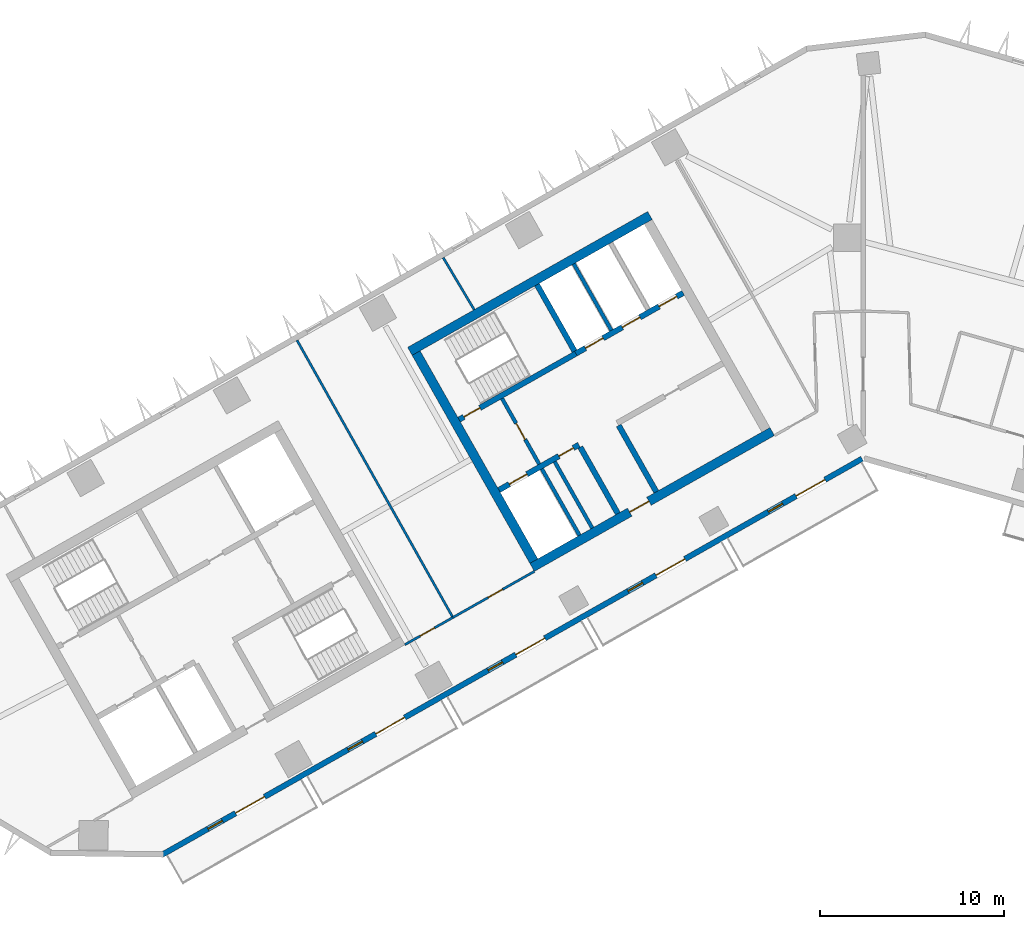
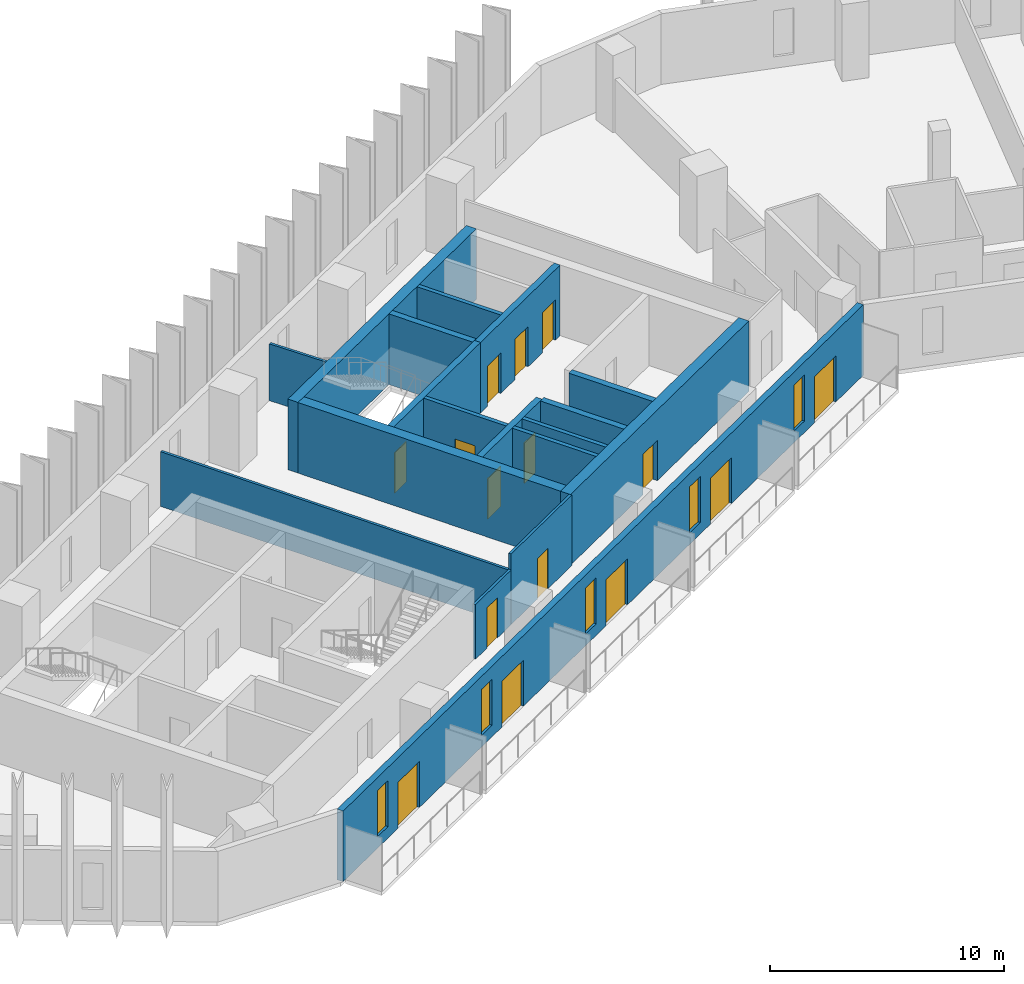
# One storey, part 4 of 12: 18 walls, 15 doors, 5 windows, 20 openings.
"""IFC4 building model written with IfcOpenShell, lengths in metres."""

import ifcopenshell
import ifcopenshell.guid

model = None  # the IFC model being written
_history = None  # IfcOwnerHistory: only IFC2X3 demands one
_inside = {}  # id of a spatial element -> (the spatial element, [elements in it])
_under = {}  # id of a project, library or spatial element -> (it, [spatial elements below it])
_declared = {}  # id of a project -> (the project, [libraries it declares])
_typed = {}  # id of a type object -> (the type object, [elements of that type])
_made_of = {}  # id of a material, layer set ... -> (it, [elements and type objects made of it])


def new_model(schema):
    """Start an empty IFC model of exactly this schema.

    Asked for "IFC4X3", IfcOpenShell would pick the latest addendum, in which some entities
    have other attributes; the version numbers below select the first issue.
    IFC2X3 requires an IfcOwnerHistory on every rooted entity: one is made here for all.
    """
    global model, _history
    if schema == "IFC4X3":
        model = ifcopenshell.file(schema_version=(4, 3, 0, 0))
    else:
        model = ifcopenshell.file(schema=schema)
    _inside.clear()
    _under.clear()
    _declared.clear()
    _typed.clear()
    _made_of.clear()
    _history = None
    if model.schema == "IFC2X3":
        org = make("IfcOrganization", Name="unknown")
        user = make(
            "IfcPersonAndOrganization",
            ThePerson=make("IfcPerson", FamilyName="unknown"),
            TheOrganization=org,
        )
        app = make(
            "IfcApplication",
            ApplicationDeveloper=org,
            Version="unknown",
            ApplicationFullName="unknown",
            ApplicationIdentifier="unknown",
        )
        _history = make(
            "IfcOwnerHistory",
            OwningUser=user,
            OwningApplication=app,
            ChangeAction="ADDED",
            CreationDate=0,
        )
    return model


def make(cls, **values):
    """One entity of the class cls with the attributes given. An attribute that is None is left unset."""
    return model.create_entity(
        cls, **{name: value for name, value in values.items() if value is not None}
    )


def rooted(cls, **values):
    """An entity with a GlobalId (a new one), such as an element, a storey or a relation."""
    return make(cls, GlobalId=ifcopenshell.guid.new(), OwnerHistory=_history, **values)


def si_unit(unit_type, name, prefix=None):
    """IfcSIUnit, for example si_unit("LENGTHUNIT", "METRE", prefix="MILLI")."""
    return make("IfcSIUnit", UnitType=unit_type, Prefix=prefix, Name=name)


def assignment(units):
    """IfcUnitAssignment: the units of a project."""
    return None if units is None else make("IfcUnitAssignment", Units=units)


def point(xyz):
    """IfcCartesianPoint."""
    return None if xyz is None else make("IfcCartesianPoint", Coordinates=xyz)


def direction(xyz):
    """IfcDirection."""
    return None if xyz is None else make("IfcDirection", DirectionRatios=xyz)


def frame(location, z_axis=None, x_axis=None):
    """IfcAxis2Placement3D, a coordinate frame: its origin and axes. An axis left out is left unset."""
    return make(
        "IfcAxis2Placement3D",
        Location=point(location),
        Axis=direction(z_axis),
        RefDirection=direction(x_axis),
    )


def frame_2d(location, x_axis=None):
    """IfcAxis2Placement2D, a coordinate frame in the plane: its origin and x axis."""
    return make(
        "IfcAxis2Placement2D", Location=point(location), RefDirection=direction(x_axis)
    )


def origin():
    """The frame at (0, 0, 0) with its axes left unset."""
    return frame((0.0, 0.0, 0.0))


def place(relative_to, where):
    """IfcLocalPlacement: puts the frame where relative to a parent placement (None: the world)."""
    return make(
        "IfcLocalPlacement", PlacementRelTo=relative_to, RelativePlacement=where
    )


def context(
    kind, dimensions, precision=None, world=None, true_north=None, identifier=None
):
    """IfcGeometricRepresentationContext, for example the 3D "Model" context."""
    return make(
        "IfcGeometricRepresentationContext",
        ContextIdentifier=identifier,
        ContextType=kind,
        CoordinateSpaceDimension=dimensions,
        Precision=precision,
        WorldCoordinateSystem=world,
        TrueNorth=true_north,
    )


def subcontext(parent, identifier, kind, view, scale=None):
    """IfcGeometricRepresentationSubContext, for example "Body" below "Model"."""
    return make(
        "IfcGeometricRepresentationSubContext",
        ContextIdentifier=identifier,
        ContextType=kind,
        ParentContext=parent,
        TargetScale=scale,
        TargetView=view,
    )


def project(units=None, contexts=None):
    """IfcProject with its units and contexts."""
    return rooted(
        "IfcProject",
        Name="project",
        RepresentationContexts=contexts,
        UnitsInContext=assignment(units),
    )


def spatial(cls, under=None, at=None, **own):
    """A site, building, storey or space (cls), placed at a placement, below another one or the project."""
    s = rooted(cls, ObjectPlacement=at, **own)
    if under is not None:
        _under.setdefault(under.id(), (under, []))[1].append(s)
    return s


def profile(cls, at=None, kind="AREA", **sizes):
    """A parametric profile (cls). Its sizes go by their IFC names, for example OverallWidth=200.0."""
    return make(cls, ProfileType=kind, Position=at, **sizes)


def rectangle(**sizes):
    """IfcRectangleProfileDef."""
    return profile("IfcRectangleProfileDef", **sizes)


def extrude(swept, where, along, depth):
    """IfcExtrudedAreaSolid: the profile swept, set in the frame where, extruded along a direction by depth."""
    return make(
        "IfcExtrudedAreaSolid",
        SweptArea=swept,
        Position=where,
        ExtrudedDirection=direction(along),
        Depth=depth,
    )


def shape(context_of_items, identifier, shape_type, items):
    """IfcShapeRepresentation: the items that make up one representation, for example the "Body"."""
    return make(
        "IfcShapeRepresentation",
        ContextOfItems=context_of_items,
        RepresentationIdentifier=identifier,
        RepresentationType=shape_type,
        Items=items,
    )


def material(Name=None, Category=None):
    """IfcMaterial."""
    return make("IfcMaterial", Name=Name, Category=Category)


def layer(
    of_material, thickness, ventilated=None, Name=None, Category=None, Priority=None
):
    """IfcMaterialLayer: one layer of a wall or slab, of a material (None: an air gap)."""
    return make(
        "IfcMaterialLayer",
        Material=of_material,
        LayerThickness=thickness,
        IsVentilated=ventilated,
        Name=Name,
        Category=Category,
        Priority=Priority,
    )


def layer_set(layers, Name=None):
    """IfcMaterialLayerSet."""
    return make("IfcMaterialLayerSet", MaterialLayers=layers, LayerSetName=Name)


def made_of(thing, what):
    """Note that an element or type object is made of a material, layer set ...; save() writes the relation."""
    if what is not None:
        _made_of.setdefault(what.id(), (what, []))[1].append(thing)
    return thing


def type_object(cls, material=None, **own):
    """A type object (cls), such as IfcWallType, which elements share."""
    return made_of(rooted(cls, **own), material)


def element(
    cls,
    number,
    at=None,
    inside=None,
    cuts=None,
    type_object=None,
    material=None,
    context=None,
    identifier="Body",
    shape_type=None,
    held_by="IfcProductDefinitionShape",
    body=None,
    shapes=None,
    **own,
):
    """One element of the class cls, such as IfcWall. Its Tag is "e" and its number.

    at: its placement. inside: the storey or other place that contains it. cuts: it is an
    opening in that element (IfcRelVoidsElement). A single representation is given by context,
    identifier, shape_type and body (its items); several are given by shapes. held_by: the class
    of the entity that holds the representations. save() writes the other relations.
    """
    e = rooted(cls, Tag="e%d" % number, ObjectPlacement=at, **own)
    if body is not None:
        shapes = [shape(context, identifier, shape_type, body)]
    if shapes is not None:
        e.Representation = make(held_by, Representations=shapes)
    if inside is not None:
        _inside.setdefault(inside.id(), (inside, []))[1].append(e)
    if cuts is not None:
        rooted(
            "IfcRelVoidsElement", RelatingBuildingElement=cuts, RelatedOpeningElement=e
        )
    if type_object is not None:
        _typed.setdefault(type_object.id(), (type_object, []))[1].append(e)
    return made_of(e, material)


def fill(opening, filler):
    """IfcRelFillsElement: the door or window that sits in an opening."""
    return rooted(
        "IfcRelFillsElement",
        RelatingOpeningElement=opening,
        RelatedBuildingElement=filler,
    )


def aggregate(whole, parts):
    """IfcRelAggregates: a whole, such as a stair, and the parts it consists of."""
    return rooted("IfcRelAggregates", RelatingObject=whole, RelatedObjects=parts)


def save(model, path):
    """Write the relations noted so far, then the file.

    IfcRelAggregates (storeys below a building ...), IfcRelContainedInSpatialStructure (elements
    in a storey), IfcRelDefinesByType, IfcRelAssociatesMaterial and IfcRelDeclares: one each for
    every whole, place, type object, material and project.
    """
    for whole, parts in _under.values():
        aggregate(whole, parts)
    for where, things in _inside.values():
        rooted(
            "IfcRelContainedInSpatialStructure",
            RelatedElements=things,
            RelatingStructure=where,
        )
    for kind, things in _typed.values():
        rooted("IfcRelDefinesByType", RelatedObjects=things, RelatingType=kind)
    for what, things in _made_of.values():
        rooted("IfcRelAssociatesMaterial", RelatedObjects=things, RelatingMaterial=what)
    for by, libraries in _declared.values():
        rooted("IfcRelDeclares", RelatingContext=by, RelatedDefinitions=libraries)
    model.write(path)


model = new_model("IFC4")

# Units and contexts
model_context = context("Model", 3, precision=1e-05, world=origin(), true_north=direction((0.0, 1.0)))
body_context = subcontext(model_context, "Body", "Model", "MODEL_VIEW")
ifc_project = project(units=[si_unit("LENGTHUNIT", "METRE"), si_unit("AREAUNIT", "SQUARE_METRE"), si_unit("VOLUMEUNIT", "CUBIC_METRE"), si_unit("PLANEANGLEUNIT", "RADIAN"), si_unit("MASSUNIT", "GRAM", prefix="KILO")], contexts=[model_context])

# Site, building, storey
site_placement = place(None, origin())
site = spatial("IfcSite", under=ifc_project, at=site_placement, CompositionType="ELEMENT")
building_placement = place(site_placement, origin())
building = spatial("IfcBuilding", under=site, at=building_placement, Name="Binnacle Exchange Tower", CompositionType="ELEMENT")
storey_placement = place(building_placement, frame((0.0, 0.0, 154.89990234375)))
storey = spatial("IfcBuildingStorey", under=building, at=storey_placement, Name="L32", CompositionType="ELEMENT", Elevation=154.89990234375)

# Wall, openings, doors
ifc_material_1 = material(Name="Concrete C70/85", Category="concrete")
ifc_layer_1 = layer(ifc_material_1, 0.300048828125)
ifc_layer_set_1 = layer_set([ifc_layer_1], Name="Core wall - front 300")
wall_type_1 = type_object("IfcWallType", Name="Core wall - front 300", PredefinedType="SOLIDWALL", material=ifc_layer_set_1)
wall_1_placement = place(storey_placement, frame((-19.80517578125, 46.26708984375, 0.0), z_axis=(0.0, 0.0, 1.0), x_axis=(0.870353598469, 0.492427267353, 0.0)))
wall_1 = element("IfcWall", 1, at=wall_1_placement, inside=storey, type_object=wall_type_1, Name="Core wall CRWC2", PredefinedType="SOLIDWALL", context=body_context, shape_type="SweptSolid", body=[
    extrude(rectangle(XDim=5.0, YDim=0.300048828125, at=frame_2d((2.5, 0.0))), origin(), (0.0, 0.0, 1.0), 3.68017578125),
])
opening_1_placement = place(wall_1_placement, frame((0.64990234375, 0.0, 0.0)))
opening_1 = element("IfcOpeningElement", 2, at=opening_1_placement, cuts=wall_1, Name="Opening LD14", PredefinedType="OPENING", context=body_context, shape_type="SweptSolid", body=[
    extrude(rectangle(XDim=1.10009765625, YDim=2.10009765625, at=frame_2d((0.550048828125, 1.050048828125))), frame((0.0, 0.159912109375, 0.0), z_axis=(0.0, -1.0, 0.0), x_axis=(1.0, 0.0, 0.0)), (0.0, 0.0, 1.0), 0.320068359375),
])
opening_2_placement = place(wall_1_placement, frame((3.75, 0.0, 0.0)))
opening_2 = element("IfcOpeningElement", 3, at=opening_2_placement, cuts=wall_1, Name="Opening DC14", PredefinedType="OPENING", context=body_context, shape_type="SweptSolid", body=[
    extrude(rectangle(XDim=0.89990234375, YDim=2.10009765625, at=frame_2d((0.449951171875, 1.050048828125))), frame((0.0, 0.159912109375, 0.0), z_axis=(0.0, -1.0, 0.0), x_axis=(1.0, 0.0, 0.0)), (0.0, 0.0, 1.0), 0.320068359375),
])
ifc_material_2 = material(Name="Steel door leaf", Category="steel")
door_type_1 = type_object("IfcDoorType", Name="Fire door - lift landing 1100", OperationType="NOTDEFINED", PredefinedType="DOOR", material=ifc_material_2)
door_1_placement = place(opening_1_placement, origin())
door_1 = element("IfcDoor", 4, at=door_1_placement, inside=storey, type_object=door_type_1, Name="Landing door LD14 L32", OperationType="DOUBLE_DOOR_SLIDING", OverallHeight=2.10009765625, OverallWidth=1.10009765625, PredefinedType="DOOR", context=body_context, shape_type="SweptSolid", body=[
    extrude(rectangle(XDim=1.10009765625, YDim=2.10009765625, at=frame_2d((0.550048828125, 1.050048828125))), frame((0.0, 0.02490234375, 0.0), z_axis=(0.0, -1.0, 0.0), x_axis=(1.0, 0.0, 0.0)), (0.0, 0.0, 1.0), 0.050048828125),
])
fill(opening_1, door_1)
door_type_2 = type_object("IfcDoorType", Name="Fire door 900", OperationType="NOTDEFINED", PredefinedType="DOOR", material=ifc_material_2)
door_2_placement = place(opening_2_placement, frame((0.89990234375, 0.0, 0.0), z_axis=(0.0, 0.0, 1.0), x_axis=(-1.0, 0.0, 0.0)))
door_2 = element("IfcDoor", 5, at=door_2_placement, inside=storey, type_object=door_type_2, Name="Core room door COMMS RISER ROOM", OperationType="SINGLE_SWING_LEFT", OverallHeight=2.10009765625, OverallWidth=0.89990234375, PredefinedType="DOOR", context=body_context, shape_type="SweptSolid", body=[
    extrude(rectangle(XDim=0.89990234375, YDim=2.10009765625, at=frame_2d((0.449951171875, 1.050048828125))), frame((0.0, 0.02490234375, 0.0), z_axis=(0.0, -1.0, 0.0), x_axis=(1.0, 0.0, 0.0)), (0.0, 0.0, 1.0), 0.050048828125),
])
fill(opening_2, door_2)

wall_2_placement = place(storey_placement, frame((-15.6181640625, 53.69140625, 0.0), z_axis=(0.0, 0.0, 1.0), x_axis=(0.870363236066, 0.492410232738, 0.0)))
wall_2 = element("IfcWall", 6, at=wall_2_placement, inside=storey, type_object=wall_type_1, Name="Core wall CRWC5", PredefinedType="SOLIDWALL", context=body_context, shape_type="SweptSolid", body=[
    extrude(rectangle(XDim=6.699951171875, YDim=0.300048828125, at=frame_2d((3.35009765625, 0.0))), origin(), (0.0, 0.0, 1.0), 3.68017578125),
])
opening_3_placement = place(wall_2_placement, frame((0.60009765625, 0.0, 0.0)))
opening_3 = element("IfcOpeningElement", 7, at=opening_3_placement, cuts=wall_2, Name="Opening LD5", PredefinedType="OPENING", context=body_context, shape_type="SweptSolid", body=[
    extrude(rectangle(XDim=1.10009765625, YDim=2.10009765625, at=frame_2d((0.550048828125, 1.050048828125))), frame((0.0, 0.159912109375, 0.0), z_axis=(0.0, -1.0, 0.0), x_axis=(1.0, 0.0, 0.0)), (0.0, 0.0, 1.0), 0.320068359375),
])
opening_4_placement = place(wall_2_placement, frame((2.89990234375, 0.0, 0.0)))
opening_4 = element("IfcOpeningElement", 8, at=opening_4_placement, cuts=wall_2, Name="Opening LD6", PredefinedType="OPENING", context=body_context, shape_type="SweptSolid", body=[
    extrude(rectangle(XDim=1.10009765625, YDim=2.10009765625, at=frame_2d((0.550048828125, 1.050048828125))), frame((0.0, 0.159912109375, 0.0), z_axis=(0.0, -1.0, 0.0), x_axis=(1.0, 0.0, 0.0)), (0.0, 0.0, 1.0), 0.320068359375),
])
opening_5_placement = place(wall_2_placement, frame((5.199951171875, 0.0, 0.0)))
opening_5 = element("IfcOpeningElement", 9, at=opening_5_placement, cuts=wall_2, Name="Opening LD7", PredefinedType="OPENING", context=body_context, shape_type="SweptSolid", body=[
    extrude(rectangle(XDim=1.10009765625, YDim=2.10009765625, at=frame_2d((0.550048828125, 1.050048828125))), frame((0.0, 0.159912109375, 0.0), z_axis=(0.0, -1.0, 0.0), x_axis=(1.0, 0.0, 0.0)), (0.0, 0.0, 1.0), 0.320068359375),
])
door_3_placement = place(opening_3_placement, origin())
door_3 = element("IfcDoor", 10, at=door_3_placement, inside=storey, type_object=door_type_1, Name="Landing door LD5 L32", OperationType="DOUBLE_DOOR_SLIDING", OverallHeight=2.10009765625, OverallWidth=1.10009765625, PredefinedType="DOOR", context=body_context, shape_type="SweptSolid", body=[
    extrude(rectangle(XDim=1.10009765625, YDim=2.10009765625, at=frame_2d((0.550048828125, 1.050048828125))), frame((0.0, 0.02490234375, 0.0), z_axis=(0.0, -1.0, 0.0), x_axis=(1.0, 0.0, 0.0)), (0.0, 0.0, 1.0), 0.050048828125),
])
fill(opening_3, door_3)
door_4_placement = place(opening_4_placement, origin())
door_4 = element("IfcDoor", 11, at=door_4_placement, inside=storey, type_object=door_type_1, Name="Landing door LD6 L32", OperationType="DOUBLE_DOOR_SLIDING", OverallHeight=2.10009765625, OverallWidth=1.10009765625, PredefinedType="DOOR", context=body_context, shape_type="SweptSolid", body=[
    extrude(rectangle(XDim=1.10009765625, YDim=2.10009765625, at=frame_2d((0.550048828125, 1.050048828125))), frame((0.0, 0.02490234375, 0.0), z_axis=(0.0, -1.0, 0.0), x_axis=(1.0, 0.0, 0.0)), (0.0, 0.0, 1.0), 0.050048828125),
])
fill(opening_4, door_4)
door_5_placement = place(opening_5_placement, origin())
door_5 = element("IfcDoor", 12, at=door_5_placement, inside=storey, type_object=door_type_1, Name="Landing door LD7 L32", OperationType="DOUBLE_DOOR_SLIDING", OverallHeight=2.10009765625, OverallWidth=1.10009765625, PredefinedType="DOOR", context=body_context, shape_type="SweptSolid", body=[
    extrude(rectangle(XDim=1.10009765625, YDim=2.10009765625, at=frame_2d((0.550048828125, 1.050048828125))), frame((0.0, 0.02490234375, 0.0), z_axis=(0.0, -1.0, 0.0), x_axis=(1.0, 0.0, 0.0)), (0.0, 0.0, 1.0), 0.050048828125),
])
fill(opening_5, door_5)

# Walls
for number, where, z_axis, x_axis, name in (
    (13, (-15.37939453125, 48.5986328125, 0.0), (0.0, 0.0, 1.0), (0.492396453737, -0.870371031427, 0.0), "Core wall CRWC13"),
    (14, (-13.29052734375, 49.780517578125, 0.0), (0.0, 0.0, 1.0), (0.492396453737, -0.870371031427, 0.0), "Core wall CRWC15"),
):
    element("IfcWall", number, at=place(storey_placement, frame(where, z_axis=z_axis, x_axis=x_axis)), inside=storey, type_object=wall_type_1, Name=name, PredefinedType="SOLIDWALL", context=body_context, shape_type="SweptSolid", body=[
        extrude(rectangle(XDim=4.14990234375, YDim=0.300048828125, at=frame_2d((2.074951171875, 0.0))), origin(), (0.0, 0.0, 1.0), 3.68017578125),
    ])

# Wall, opening, door
ifc_layer_2 = layer(ifc_material_1, 0.5)
ifc_layer_set_2 = layer_set([ifc_layer_2], Name="Core wall - outer 500")
wall_type_2 = type_object("IfcWallType", Name="Core wall - outer 500", PredefinedType="SOLIDWALL", material=ifc_layer_set_2)
wall_3_placement = place(storey_placement, frame((-17.999755859375, 42.060791015625, 0.0), z_axis=(0.0, 0.0, 1.0), x_axis=(0.870356627484, 0.492421913601, 0.0)))
wall_3 = element("IfcWall", 15, at=wall_3_placement, inside=storey, type_object=wall_type_2, Name="Core wall CRWC1", PredefinedType="SOLIDWALL", context=body_context, shape_type="SweptSolid", body=[
    extrude(rectangle(XDim=14.999755859375, YDim=0.5, at=frame_2d((7.5, 0.0))), origin(), (0.0, 0.0, 1.0), 3.68017578125),
])
opening_6_placement = place(wall_3_placement, frame((6.10009765625, 0.0, 0.0)))
opening_6 = element("IfcOpeningElement", 16, at=opening_6_placement, cuts=wall_3, Name="Opening DC7", PredefinedType="OPENING", context=body_context, shape_type="SweptSolid", body=[
    extrude(rectangle(XDim=1.199951171875, YDim=2.10009765625, at=frame_2d((0.60009765625, 1.050048828125))), frame((0.0, 0.260009765625, 0.0), z_axis=(0.0, -1.0, 0.0), x_axis=(1.0, 0.0, 0.0)), (0.0, 0.0, 1.0), 0.52001953125),
])
door_type_3 = type_object("IfcDoorType", Name="Fire door 1200", OperationType="NOTDEFINED", PredefinedType="DOOR", material=ifc_material_2)
door_6_placement = place(opening_6_placement, frame((1.199951171875, 0.0, 0.0), z_axis=(0.0, 0.0, 1.0), x_axis=(-1.0, 0.0, 0.0)))
door_6 = element("IfcDoor", 17, at=door_6_placement, inside=storey, type_object=door_type_3, Name="Lift lobby entrance door core C", OperationType="SINGLE_SWING_RIGHT", OverallHeight=2.10009765625, OverallWidth=1.199951171875, PredefinedType="DOOR", context=body_context, shape_type="SweptSolid", body=[
    extrude(rectangle(XDim=1.199951171875, YDim=2.10009765625, at=frame_2d((0.60009765625, 1.050048828125))), frame((0.0, 0.02490234375, 0.0), z_axis=(0.0, -1.0, 0.0), x_axis=(1.0, 0.0, 0.0)), (0.0, 0.0, 1.0), 0.050048828125),
])
fill(opening_6, door_6)

# Walls
wall_4_placement = place(storey_placement, frame((-24.6474609375, 53.810546875, 0.0), z_axis=(0.0, 0.0, 1.0), x_axis=(0.87034965173, 0.492434243055, 0.0)))
element("IfcWall", 18, at=wall_4_placement, inside=storey, type_object=wall_type_2, Name="Core wall CRWC6", PredefinedType="SOLIDWALL", context=body_context, shape_type="SweptSolid", body=[
    extrude(rectangle(XDim=15.0, YDim=0.5, at=frame_2d((7.5, 0.0))), origin(), (0.0, 0.0, 1.0), 3.68017578125),
])
wall_5_placement = place(storey_placement, frame((-24.306884765625, 53.716064453125, 0.0), z_axis=(0.0, 0.0, 1.0), x_axis=(0.492427267353, -0.870353598469, 0.0)))
element("IfcWall", 19, at=wall_5_placement, inside=storey, type_object=wall_type_2, Name="Core wall CRWC7", PredefinedType="SOLIDWALL", context=body_context, shape_type="SweptSolid", body=[
    extrude(rectangle(XDim=13.0, YDim=0.5, at=frame_2d((6.5, 0.0))), origin(), (0.0, 0.0, 1.0), 3.68017578125),
])

# Wall, opening, door
ifc_layer_3 = layer(ifc_material_1, 0.300048828125)
ifc_layer_set_3 = layer_set([ifc_layer_3], Name="Core wall - stair 300")
wall_type_3 = type_object("IfcWallType", Name="Core wall - stair 300", PredefinedType="SOLIDWALL", material=ifc_layer_set_3)
wall_6_placement = place(storey_placement, frame((-21.9716796875, 50.0966796875, 0.0), z_axis=(0.0, 0.0, 1.0), x_axis=(0.870350976978, 0.492431900747, 0.0)))
wall_6 = element("IfcWall", 20, at=wall_6_placement, inside=storey, type_object=wall_type_3, Name="Core wall CRWC4", PredefinedType="SOLIDWALL", context=body_context, shape_type="SweptSolid", body=[
    extrude(rectangle(XDim=7.300048828125, YDim=0.300048828125, at=frame_2d((3.64990234375, 0.0))), origin(), (0.0, 0.0, 1.0), 3.68017578125),
])
opening_7_placement = place(wall_6_placement, frame((0.300048828125, 0.0, 0.0)))
opening_7 = element("IfcOpeningElement", 21, at=opening_7_placement, cuts=wall_6, Name="Opening DC1", PredefinedType="OPENING", context=body_context, shape_type="SweptSolid", body=[
    extrude(rectangle(XDim=1.0, YDim=2.10009765625, at=frame_2d((0.5, 1.050048828125))), frame((0.0, 0.159912109375, 0.0), z_axis=(0.0, -1.0, 0.0), x_axis=(1.0, 0.0, 0.0)), (0.0, 0.0, 1.0), 0.320068359375),
])
door_type_4 = type_object("IfcDoorType", Name="Fire door 1000", OperationType="NOTDEFINED", PredefinedType="DOOR", material=ifc_material_2)
door_7_placement = place(opening_7_placement, origin())
door_7 = element("IfcDoor", 22, at=door_7_placement, inside=storey, type_object=door_type_4, Name="Stair door ST-C1", OperationType="SINGLE_SWING_LEFT", OverallHeight=2.10009765625, OverallWidth=1.0, PredefinedType="DOOR", context=body_context, shape_type="SweptSolid", body=[
    extrude(rectangle(XDim=1.0, YDim=2.10009765625, at=frame_2d((0.5, 1.050048828125))), frame((0.0, 0.02490234375, 0.0), z_axis=(0.0, -1.0, 0.0), x_axis=(1.0, 0.0, 0.0)), (0.0, 0.0, 1.0), 0.050048828125),
])
fill(opening_7, door_7)

# Wall
wall_7_placement = place(storey_placement, frame((-17.735595703125, 57.433837890625, 0.0), z_axis=(0.0, 0.0, 1.0), x_axis=(0.492421666909, -0.870356767055, 0.0)))
element("IfcWall", 23, at=wall_7_placement, inside=storey, type_object=wall_type_3, Name="Core wall CRWC14", PredefinedType="SOLIDWALL", context=body_context, shape_type="SweptSolid", body=[
    extrude(rectangle(XDim=4.14990234375, YDim=0.300048828125, at=frame_2d((2.074951171875, 0.0))), origin(), (0.0, 0.0, 1.0), 3.68017578125),
])

# Wall, openings, doors, windows
ifc_material_3 = material(Name="Bronze aluminium cladding", Category="aluminium")
ifc_layer_4 = layer(ifc_material_3, 0.300048828125)
ifc_layer_set_4 = layer_set([ifc_layer_4], Name="External wall - spandrel 300")
wall_type_4 = type_object("IfcWallType", Name="External wall - spandrel 300", PredefinedType="STANDARD", material=ifc_layer_set_4)
wall_8_placement = place(storey_placement, frame((-0.0546875, 47.968994140625, 0.0), z_axis=(0.0, 0.0, 1.0), x_axis=(-0.870355730478, -0.492423499058, 0.0)))
wall_8 = element("IfcWall", 24, at=wall_8_placement, inside=storey, type_object=wall_type_4, Name="External wall EW-G01 L32", PredefinedType="STANDARD", context=body_context, shape_type="SweptSolid", body=[
    extrude(rectangle(XDim=43.750244140625, YDim=0.300048828125, at=frame_2d((21.875, 0.0))), origin(), (0.0, 0.0, 1.0), 3.68017578125),
])
opening_8_placement = place(wall_8_placement, frame((39.976806640625, 0.0, 0.60009765625)))
opening_8 = element("IfcOpeningElement", 25, at=opening_8_placement, cuts=wall_8, Name="Opening WS3", PredefinedType="OPENING", context=body_context, shape_type="SweptSolid", body=[
    extrude(rectangle(XDim=0.89990234375, YDim=2.39990234375, at=frame_2d((0.449951171875, 1.199951171875))), frame((0.0, 0.159912109375, 0.0), z_axis=(0.0, -1.0, 0.0), x_axis=(1.0, 0.0, 0.0)), (0.0, 0.0, 1.0), 0.320068359375),
])
opening_9_placement = place(wall_8_placement, frame((37.338134765625, 0.0, 0.0)))
opening_9 = element("IfcOpeningElement", 26, at=opening_9_placement, cuts=wall_8, Name="Opening D-FS10-01", PredefinedType="OPENING", context=body_context, shape_type="SweptSolid", body=[
    extrude(rectangle(XDim=1.800048828125, YDim=2.39990234375, at=frame_2d((0.89990234375, 1.199951171875))), frame((0.0, 0.159912109375, 0.0), z_axis=(0.0, -1.0, 0.0), x_axis=(1.0, 0.0, 0.0)), (0.0, 0.0, 1.0), 0.320068359375),
])
opening_10_placement = place(wall_8_placement, frame((31.222412109375, 0.0, 0.60009765625)))
opening_10 = element("IfcOpeningElement", 27, at=opening_10_placement, cuts=wall_8, Name="Opening WS3", PredefinedType="OPENING", context=body_context, shape_type="SweptSolid", body=[
    extrude(rectangle(XDim=0.89990234375, YDim=2.39990234375, at=frame_2d((0.449951171875, 1.199951171875))), frame((0.0, 0.159912109375, 0.0), z_axis=(0.0, -1.0, 0.0), x_axis=(1.0, 0.0, 0.0)), (0.0, 0.0, 1.0), 0.320068359375),
])
opening_11_placement = place(wall_8_placement, frame((28.583740234375, 0.0, 0.0)))
opening_11 = element("IfcOpeningElement", 28, at=opening_11_placement, cuts=wall_8, Name="Opening D-FS10-02", PredefinedType="OPENING", context=body_context, shape_type="SweptSolid", body=[
    extrude(rectangle(XDim=1.800048828125, YDim=2.39990234375, at=frame_2d((0.89990234375, 1.199951171875))), frame((0.0, 0.159912109375, 0.0), z_axis=(0.0, -1.0, 0.0), x_axis=(1.0, 0.0, 0.0)), (0.0, 0.0, 1.0), 0.320068359375),
])
opening_12_placement = place(wall_8_placement, frame((22.4677734375, 0.0, 0.60009765625)))
opening_12 = element("IfcOpeningElement", 29, at=opening_12_placement, cuts=wall_8, Name="Opening WS3", PredefinedType="OPENING", context=body_context, shape_type="SweptSolid", body=[
    extrude(rectangle(XDim=0.89990234375, YDim=2.39990234375, at=frame_2d((0.449951171875, 1.199951171875))), frame((0.0, 0.159912109375, 0.0), z_axis=(0.0, -1.0, 0.0), x_axis=(1.0, 0.0, 0.0)), (0.0, 0.0, 1.0), 0.320068359375),
])
opening_13_placement = place(wall_8_placement, frame((19.8291015625, 0.0, 0.0)))
opening_13 = element("IfcOpeningElement", 30, at=opening_13_placement, cuts=wall_8, Name="Opening D-FS10-03", PredefinedType="OPENING", context=body_context, shape_type="SweptSolid", body=[
    extrude(rectangle(XDim=1.800048828125, YDim=2.39990234375, at=frame_2d((0.89990234375, 1.199951171875))), frame((0.0, 0.159912109375, 0.0), z_axis=(0.0, -1.0, 0.0), x_axis=(1.0, 0.0, 0.0)), (0.0, 0.0, 1.0), 0.320068359375),
])
opening_14_placement = place(wall_8_placement, frame((13.713134765625, 0.0, 0.60009765625)))
opening_14 = element("IfcOpeningElement", 31, at=opening_14_placement, cuts=wall_8, Name="Opening WS3", PredefinedType="OPENING", context=body_context, shape_type="SweptSolid", body=[
    extrude(rectangle(XDim=0.89990234375, YDim=2.39990234375, at=frame_2d((0.449951171875, 1.199951171875))), frame((0.0, 0.159912109375, 0.0), z_axis=(0.0, -1.0, 0.0), x_axis=(1.0, 0.0, 0.0)), (0.0, 0.0, 1.0), 0.320068359375),
])
opening_15_placement = place(wall_8_placement, frame((11.07470703125, 0.0, 0.0)))
opening_15 = element("IfcOpeningElement", 32, at=opening_15_placement, cuts=wall_8, Name="Opening D-FS10-04", PredefinedType="OPENING", context=body_context, shape_type="SweptSolid", body=[
    extrude(rectangle(XDim=1.800048828125, YDim=2.39990234375, at=frame_2d((0.89990234375, 1.199951171875))), frame((0.0, 0.159912109375, 0.0), z_axis=(0.0, -1.0, 0.0), x_axis=(1.0, 0.0, 0.0)), (0.0, 0.0, 1.0), 0.320068359375),
])
opening_16_placement = place(wall_8_placement, frame((4.958740234375, 0.0, 0.60009765625)))
opening_16 = element("IfcOpeningElement", 33, at=opening_16_placement, cuts=wall_8, Name="Opening WS3", PredefinedType="OPENING", context=body_context, shape_type="SweptSolid", body=[
    extrude(rectangle(XDim=0.89990234375, YDim=2.39990234375, at=frame_2d((0.449951171875, 1.199951171875))), frame((0.0, 0.159912109375, 0.0), z_axis=(0.0, -1.0, 0.0), x_axis=(1.0, 0.0, 0.0)), (0.0, 0.0, 1.0), 0.320068359375),
])
opening_17_placement = place(wall_8_placement, frame((2.320068359375, 0.0, 0.0)))
opening_17 = element("IfcOpeningElement", 34, at=opening_17_placement, cuts=wall_8, Name="Opening D-FS10-05", PredefinedType="OPENING", context=body_context, shape_type="SweptSolid", body=[
    extrude(rectangle(XDim=1.800048828125, YDim=2.39990234375, at=frame_2d((0.89990234375, 1.199951171875))), frame((0.0, 0.159912109375, 0.0), z_axis=(0.0, -1.0, 0.0), x_axis=(1.0, 0.0, 0.0)), (0.0, 0.0, 1.0), 0.320068359375),
])
ifc_material_4 = material(Name="Bronze anodised aluminium frame", Category="aluminium")
door_type_5 = type_object("IfcDoorType", Name="DB DOOR 1800x2400", OperationType="DOUBLE_DOOR_SINGLE_SWING", PredefinedType="DOOR", material=ifc_material_4)
door_8_placement = place(opening_9_placement, origin())
door_8 = element("IfcDoor", 35, at=door_8_placement, inside=storey, type_object=door_type_5, Name="Door D-FS10-01 L32", OperationType="DOUBLE_DOOR_SINGLE_SWING", OverallHeight=2.39990234375, OverallWidth=1.800048828125, PredefinedType="DOOR", context=body_context, shape_type="SweptSolid", body=[
    extrude(rectangle(XDim=1.800048828125, YDim=2.39990234375, at=frame_2d((0.89990234375, 1.199951171875))), frame((0.0, 0.02490234375, 0.0), z_axis=(0.0, -1.0, 0.0), x_axis=(1.0, 0.0, 0.0)), (0.0, 0.0, 1.0), 0.050048828125),
])
fill(opening_9, door_8)
door_9_placement = place(opening_11_placement, origin())
door_9 = element("IfcDoor", 36, at=door_9_placement, inside=storey, type_object=door_type_5, Name="Door D-FS10-02 L32", OperationType="DOUBLE_DOOR_SINGLE_SWING", OverallHeight=2.39990234375, OverallWidth=1.800048828125, PredefinedType="DOOR", context=body_context, shape_type="SweptSolid", body=[
    extrude(rectangle(XDim=1.800048828125, YDim=2.39990234375, at=frame_2d((0.89990234375, 1.199951171875))), frame((0.0, 0.02490234375, 0.0), z_axis=(0.0, -1.0, 0.0), x_axis=(1.0, 0.0, 0.0)), (0.0, 0.0, 1.0), 0.050048828125),
])
fill(opening_11, door_9)
door_10_placement = place(opening_13_placement, origin())
door_10 = element("IfcDoor", 37, at=door_10_placement, inside=storey, type_object=door_type_5, Name="Door D-FS10-03 L32", OperationType="DOUBLE_DOOR_SINGLE_SWING", OverallHeight=2.39990234375, OverallWidth=1.800048828125, PredefinedType="DOOR", context=body_context, shape_type="SweptSolid", body=[
    extrude(rectangle(XDim=1.800048828125, YDim=2.39990234375, at=frame_2d((0.89990234375, 1.199951171875))), frame((0.0, 0.02490234375, 0.0), z_axis=(0.0, -1.0, 0.0), x_axis=(1.0, 0.0, 0.0)), (0.0, 0.0, 1.0), 0.050048828125),
])
fill(opening_13, door_10)
door_11_placement = place(opening_15_placement, origin())
door_11 = element("IfcDoor", 38, at=door_11_placement, inside=storey, type_object=door_type_5, Name="Door D-FS10-04 L32", OperationType="DOUBLE_DOOR_SINGLE_SWING", OverallHeight=2.39990234375, OverallWidth=1.800048828125, PredefinedType="DOOR", context=body_context, shape_type="SweptSolid", body=[
    extrude(rectangle(XDim=1.800048828125, YDim=2.39990234375, at=frame_2d((0.89990234375, 1.199951171875))), frame((0.0, 0.02490234375, 0.0), z_axis=(0.0, -1.0, 0.0), x_axis=(1.0, 0.0, 0.0)), (0.0, 0.0, 1.0), 0.050048828125),
])
fill(opening_15, door_11)
door_12_placement = place(opening_17_placement, origin())
door_12 = element("IfcDoor", 39, at=door_12_placement, inside=storey, type_object=door_type_5, Name="Door D-FS10-05 L32", OperationType="DOUBLE_DOOR_SINGLE_SWING", OverallHeight=2.39990234375, OverallWidth=1.800048828125, PredefinedType="DOOR", context=body_context, shape_type="SweptSolid", body=[
    extrude(rectangle(XDim=1.800048828125, YDim=2.39990234375, at=frame_2d((0.89990234375, 1.199951171875))), frame((0.0, 0.02490234375, 0.0), z_axis=(0.0, -1.0, 0.0), x_axis=(1.0, 0.0, 0.0)), (0.0, 0.0, 1.0), 0.050048828125),
])
fill(opening_17, door_12)
window_type = type_object("IfcWindowType", Name="WS3 WINDOW 900x2400", PartitioningType="SINGLE_PANEL", PredefinedType="WINDOW", material=ifc_material_4)
window_1_placement = place(opening_8_placement, origin())
window_1 = element("IfcWindow", 40, at=window_1_placement, inside=storey, type_object=window_type, Name="Window WS3 L32", OverallHeight=2.39990234375, OverallWidth=0.89990234375, PartitioningType="SINGLE_PANEL", PredefinedType="WINDOW", context=body_context, shape_type="SweptSolid", body=[
    extrude(rectangle(XDim=0.89990234375, YDim=2.39990234375, at=frame_2d((0.449951171875, 1.199951171875))), frame((0.0, 0.030029296875, 0.0), z_axis=(0.0, -1.0, 0.0), x_axis=(1.0, 0.0, 0.0)), (0.0, 0.0, 1.0), 0.06005859375),
])
fill(opening_8, window_1)
window_2_placement = place(opening_10_placement, origin())
window_2 = element("IfcWindow", 41, at=window_2_placement, inside=storey, type_object=window_type, Name="Window WS3 L32", OverallHeight=2.39990234375, OverallWidth=0.89990234375, PartitioningType="SINGLE_PANEL", PredefinedType="WINDOW", context=body_context, shape_type="SweptSolid", body=[
    extrude(rectangle(XDim=0.89990234375, YDim=2.39990234375, at=frame_2d((0.449951171875, 1.199951171875))), frame((0.0, 0.030029296875, 0.0), z_axis=(0.0, -1.0, 0.0), x_axis=(1.0, 0.0, 0.0)), (0.0, 0.0, 1.0), 0.06005859375),
])
fill(opening_10, window_2)
window_3_placement = place(opening_12_placement, origin())
window_3 = element("IfcWindow", 42, at=window_3_placement, inside=storey, type_object=window_type, Name="Window WS3 L32", OverallHeight=2.39990234375, OverallWidth=0.89990234375, PartitioningType="SINGLE_PANEL", PredefinedType="WINDOW", context=body_context, shape_type="SweptSolid", body=[
    extrude(rectangle(XDim=0.89990234375, YDim=2.39990234375, at=frame_2d((0.449951171875, 1.199951171875))), frame((0.0, 0.030029296875, 0.0), z_axis=(0.0, -1.0, 0.0), x_axis=(1.0, 0.0, 0.0)), (0.0, 0.0, 1.0), 0.06005859375),
])
fill(opening_12, window_3)
window_4_placement = place(opening_14_placement, origin())
window_4 = element("IfcWindow", 43, at=window_4_placement, inside=storey, type_object=window_type, Name="Window WS3 L32", OverallHeight=2.39990234375, OverallWidth=0.89990234375, PartitioningType="SINGLE_PANEL", PredefinedType="WINDOW", context=body_context, shape_type="SweptSolid", body=[
    extrude(rectangle(XDim=0.89990234375, YDim=2.39990234375, at=frame_2d((0.449951171875, 1.199951171875))), frame((0.0, 0.030029296875, 0.0), z_axis=(0.0, -1.0, 0.0), x_axis=(1.0, 0.0, 0.0)), (0.0, 0.0, 1.0), 0.06005859375),
])
fill(opening_14, window_4)
window_5_placement = place(opening_16_placement, origin())
window_5 = element("IfcWindow", 44, at=window_5_placement, inside=storey, type_object=window_type, Name="Window WS3 L32", OverallHeight=2.39990234375, OverallWidth=0.89990234375, PartitioningType="SINGLE_PANEL", PredefinedType="WINDOW", context=body_context, shape_type="SweptSolid", body=[
    extrude(rectangle(XDim=0.89990234375, YDim=2.39990234375, at=frame_2d((0.449951171875, 1.199951171875))), frame((0.0, 0.030029296875, 0.0), z_axis=(0.0, -1.0, 0.0), x_axis=(1.0, 0.0, 0.0)), (0.0, 0.0, 1.0), 0.06005859375),
])
fill(opening_16, window_5)

# Wall, opening, door
ifc_material_5 = material(Name="Masonry block wall", Category="masonry")
ifc_layer_5 = layer(ifc_material_5, 0.199951171875)
ifc_layer_set_5 = layer_set([ifc_layer_5], Name="Fire wall - vestibule 200")
wall_type_5 = type_object("IfcWallType", Name="Fire wall - vestibule 200", PredefinedType="PARTITIONING", material=ifc_layer_set_5)
wall_9_placement = place(storey_placement, frame((-19.635009765625, 51.246337890625, 0.0), z_axis=(0.0, 0.0, 1.0), x_axis=(0.492408451753, -0.87036424366, 0.0)))
wall_9 = element("IfcWall", 45, at=wall_9_placement, inside=storey, type_object=wall_type_5, Name="Core wall CRWC10", PredefinedType="PARTITIONING", context=body_context, shape_type="SweptSolid", body=[
    extrude(rectangle(XDim=4.099853515625, YDim=0.199951171875, at=frame_2d((2.0498046875, 0.0))), origin(), (0.0, 0.0, 1.0), 3.68017578125),
])
opening_18_placement = place(wall_9_placement, frame((1.550048828125, 0.0, 0.0)))
opening_18 = element("IfcOpeningElement", 46, at=opening_18_placement, cuts=wall_9, Name="Opening DC3", PredefinedType="OPENING", context=body_context, shape_type="SweptSolid", body=[
    extrude(rectangle(XDim=1.0, YDim=2.10009765625, at=frame_2d((0.5, 1.050048828125))), frame((0.0, 0.10986328125, 0.0), z_axis=(0.0, -1.0, 0.0), x_axis=(1.0, 0.0, 0.0)), (0.0, 0.0, 1.0), 0.219970703125),
])
door_13_placement = place(opening_18_placement, frame((1.0, 0.0, 0.0), z_axis=(0.0, 0.0, 1.0), x_axis=(-1.0, 0.0, 0.0)))
door_13 = element("IfcDoor", 47, at=door_13_placement, inside=storey, type_object=door_type_4, Name="Vestibule door VEST-W", OperationType="SINGLE_SWING_RIGHT", OverallHeight=2.10009765625, OverallWidth=1.0, PredefinedType="DOOR", context=body_context, shape_type="SweptSolid", body=[
    extrude(rectangle(XDim=1.0, YDim=2.10009765625, at=frame_2d((0.5, 1.050048828125))), frame((0.0, 0.02490234375, 0.0), z_axis=(0.0, -1.0, 0.0), x_axis=(1.0, 0.0, 0.0)), (0.0, 0.0, 1.0), 0.050048828125),
])
fill(opening_18, door_13)

# Wall
ifc_material_6 = material(Name="Gypsum partition")
ifc_layer_6 = layer(ifc_material_6, 0.125)
ifc_layer_set_6 = layer_set([ifc_layer_6], Name="Partition 125")
wall_type_6 = type_object("IfcWallType", Name="Partition 125", PredefinedType="PARTITIONING", material=ifc_layer_set_6)
wall_10_placement = place(storey_placement, frame((-30.784912109375, 54.410888671875, 0.0), z_axis=(0.0, 0.0, 1.0), x_axis=(0.490135904292, -0.871646026391, 0.0)))
element("IfcWall", 48, at=wall_10_placement, inside=storey, type_object=wall_type_6, Name="Partition W04", PredefinedType="PARTITIONING", context=body_context, shape_type="SweptSolid", body=[
    extrude(rectangle(XDim=17.294921875, YDim=0.125, at=frame_2d((8.6474609375, 0.0))), origin(), (0.0, 0.0, 1.0), 2.85205078125),
])

# Wall, opening, door
wall_11_placement = place(storey_placement, frame((-24.9189453125, 37.85888671875, 0.0), z_axis=(0.0, 0.0, 1.0), x_axis=(0.870368744559, 0.492400496034, 0.0)))
wall_11 = element("IfcWall", 49, at=wall_11_placement, inside=storey, type_object=wall_type_6, Name="Partition W05", PredefinedType="PARTITIONING", context=body_context, shape_type="SweptSolid", body=[
    extrude(rectangle(XDim=2.999755859375, YDim=0.125, at=frame_2d((1.5, 0.0))), origin(), (0.0, 0.0, 1.0), 2.85205078125),
])
opening_19_placement = place(wall_11_placement, frame((0.949951171875, 0.0, 0.0)))
opening_19 = element("IfcOpeningElement", 50, at=opening_19_placement, cuts=wall_11, Name="Opening DL32-02", PredefinedType="OPENING", context=body_context, shape_type="SweptSolid", body=[
    extrude(rectangle(XDim=0.89990234375, YDim=2.10009765625, at=frame_2d((0.449951171875, 1.050048828125))), frame((0.0, 0.072509765625, 0.0), z_axis=(0.0, -1.0, 0.0), x_axis=(1.0, 0.0, 0.0)), (0.0, 0.0, 1.0), 0.14501953125),
])
ifc_material_7 = material(Name="Timber door leaf", Category="wood")
door_type_6 = type_object("IfcDoorType", Name="Door 900", OperationType="NOTDEFINED", PredefinedType="DOOR", material=ifc_material_7)
door_14_placement = place(opening_19_placement, origin())
door_14 = element("IfcDoor", 51, at=door_14_placement, inside=storey, type_object=door_type_6, Name="Door DL32-02", OperationType="SINGLE_SWING_LEFT", OverallHeight=2.10009765625, OverallWidth=0.89990234375, PredefinedType="DOOR", context=body_context, shape_type="SweptSolid", body=[
    extrude(rectangle(XDim=0.89990234375, YDim=2.10009765625, at=frame_2d((0.449951171875, 1.050048828125))), frame((0.0, 0.02490234375, 0.0), z_axis=(0.0, -1.0, 0.0), x_axis=(1.0, 0.0, 0.0)), (0.0, 0.0, 1.0), 0.050048828125),
])
fill(opening_19, door_14)

# Wall
wall_12_placement = place(storey_placement, frame((-22.8349609375, 58.907958984375, 0.0), z_axis=(0.0, 0.0, 1.0), x_axis=(0.511113859879, -0.859513014584, 0.0)))
element("IfcWall", 52, at=wall_12_placement, inside=storey, type_object=wall_type_6, Name="Partition W06", PredefinedType="PARTITIONING", context=body_context, shape_type="SweptSolid", body=[
    extrude(rectangle(XDim=3.294921875, YDim=0.125, at=frame_2d((1.6474609375, 0.0))), origin(), (0.0, 0.0, 1.0), 2.960205078125),
])

# Wall, opening, door
wall_13_placement = place(storey_placement, frame((-22.30810546875, 39.3359375, 0.0), z_axis=(0.0, 0.0, 1.0), x_axis=(0.870351090701, 0.492431699747, 0.0)))
wall_13 = element("IfcWall", 53, at=wall_13_placement, inside=storey, type_object=wall_type_6, Name="Partition W07", PredefinedType="PARTITIONING", context=body_context, shape_type="SweptSolid", body=[
    extrude(rectangle(XDim=5.09130859375, YDim=0.125, at=frame_2d((2.545654296875, 0.0))), origin(), (0.0, 0.0, 1.0), 3.68017578125),
])
opening_20_placement = place(wall_13_placement, frame((2.199951171875, 0.0, 0.0)))
opening_20 = element("IfcOpeningElement", 54, at=opening_20_placement, cuts=wall_13, Name="Opening DL32-03", PredefinedType="OPENING", context=body_context, shape_type="SweptSolid", body=[
    extrude(rectangle(XDim=0.89990234375, YDim=2.10009765625, at=frame_2d((0.449951171875, 1.050048828125))), frame((0.0, 0.072509765625, 0.0), z_axis=(0.0, -1.0, 0.0), x_axis=(1.0, 0.0, 0.0)), (0.0, 0.0, 1.0), 0.14501953125),
])
door_15_placement = place(opening_20_placement, origin())
door_15 = element("IfcDoor", 55, at=door_15_placement, inside=storey, type_object=door_type_6, Name="Door DL32-03", OperationType="SINGLE_SWING_RIGHT", OverallHeight=2.10009765625, OverallWidth=0.89990234375, PredefinedType="DOOR", context=body_context, shape_type="SweptSolid", body=[
    extrude(rectangle(XDim=0.89990234375, YDim=2.10009765625, at=frame_2d((0.449951171875, 1.050048828125))), frame((0.0, 0.02490234375, 0.0), z_axis=(0.0, -1.0, 0.0), x_axis=(1.0, 0.0, 0.0)), (0.0, 0.0, 1.0), 0.050048828125),
])
fill(opening_20, door_15)

# Walls
ifc_layer_7 = layer(ifc_material_5, 0.199951171875)
ifc_layer_set_7 = layer_set([ifc_layer_7], Name="Riser wall 200")
wall_type_7 = type_object("IfcWallType", Name="Riser wall 200", PredefinedType="SOLIDWALL", material=ifc_layer_set_7)
for number, where, z_axis, x_axis, name in (
    (56, (-17.468505859375, 47.416748046875, 0.0), (0.0, 0.0, 1.0), (0.492441017253, -0.870345818929, 0.0), "Core wall CRWC8"),
    (57, (-16.772216796875, 47.810791015625, 0.0), (0.0, 0.0, 1.0), (0.492441017253, -0.870345818929, 0.0), "Core wall CRWC11"),
):
    element("IfcWall", number, at=place(storey_placement, frame(where, z_axis=z_axis, x_axis=x_axis)), inside=storey, type_object=wall_type_7, Name=name, PredefinedType="SOLIDWALL", context=body_context, shape_type="SweptSolid", body=[
        extrude(rectangle(XDim=4.150146484375, YDim=0.199951171875, at=frame_2d((2.0751953125, 0.0))), origin(), (0.0, 0.0, 1.0), 3.68017578125),
    ])
ifc_layer_8 = layer(ifc_material_5, 0.199951171875)
ifc_layer_set_8 = layer_set([ifc_layer_8], Name="Shaft wall 200")
wall_type_8 = type_object("IfcWallType", Name="Shaft wall 200", PredefinedType="SOLIDWALL", material=ifc_layer_set_8)
wall_14_placement = place(storey_placement, frame((-15.73388671875, 58.56640625, 0.0), z_axis=(0.0, 0.0, 1.0), x_axis=(0.492441017253, -0.870345818929, 0.0)))
element("IfcWall", 58, at=wall_14_placement, inside=storey, type_object=wall_type_8, Name="Core wall CRWC18", PredefinedType="SOLIDWALL", context=body_context, shape_type="SweptSolid", body=[
    extrude(rectangle(XDim=4.150146484375, YDim=0.199951171875, at=frame_2d((2.0751953125, 0.0))), origin(), (0.0, 0.0, 1.0), 3.68017578125),
])

save(model, "model.ifc")
